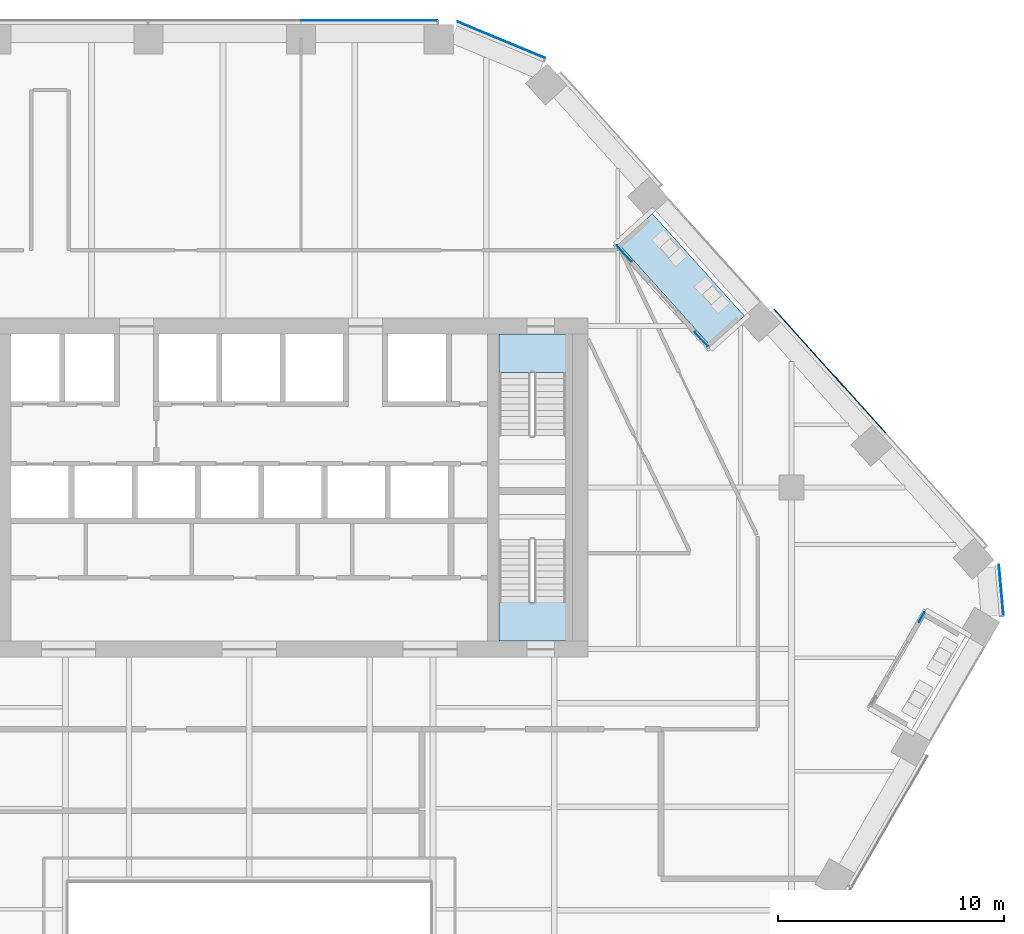
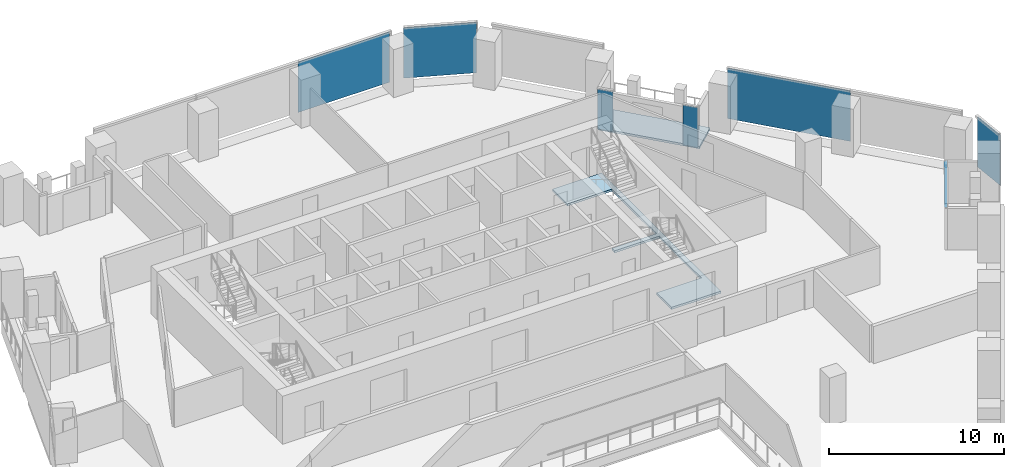
# One storey, part 18 of 26: 7 plates, 2 slabs, 6 elements without a shape of their own.
"""IFC4 building model written with IfcOpenShell, lengths in metres."""

from ifc_helpers import new_model, si_unit, direction, frame, origin, origin_2d, place, context, subcontext, project, spatial, polyline, rectangle, outline, extrude, material, layer, layer_set, type_object, element, aggregate, save


model = new_model("IFC4")

# Units and contexts
model_context = context("Model", 3, precision=1e-05, world=origin(), true_north=direction((0.0, 1.0)))
body_context = subcontext(model_context, "Body", "Model", "MODEL_VIEW")
ifc_project = project(units=[si_unit("LENGTHUNIT", "METRE"), si_unit("AREAUNIT", "SQUARE_METRE"), si_unit("VOLUMEUNIT", "CUBIC_METRE"), si_unit("PLANEANGLEUNIT", "RADIAN"), si_unit("MASSUNIT", "GRAM", prefix="KILO")], contexts=[model_context])

# Site, building, storey
site_placement = place(None, origin())
site = spatial("IfcSite", under=ifc_project, at=site_placement, CompositionType="ELEMENT")
building_placement = place(site_placement, origin())
building = spatial("IfcBuilding", under=site, at=building_placement, Name="Isthmus Gate Tower", CompositionType="ELEMENT")
storey_placement = place(building_placement, frame((0.0, 0.0, 203.64990234375)))
storey = spatial("IfcBuildingStorey", under=building, at=storey_placement, Name="L51", CompositionType="ELEMENT", Elevation=203.64990234375)

# Slab
ifc_material_1 = material(Name="Concrete f'c 40 MPa", Category="concrete")
ifc_layer_1 = layer(ifc_material_1, 0.14990234375)
ifc_layer_set_1 = layer_set([ifc_layer_1], Name="CORE FLOOR SLAB 150")
slab_type_1 = type_object("IfcSlabType", Name="CORE FLOOR SLAB 150", PredefinedType="FLOOR", material=ifc_layer_set_1)
slab_1_placement = place(storey_placement, frame((0.0, 0.0, -0.14990234375)))
element("IfcSlab", 1, at=slab_1_placement, inside=storey, type_object=slab_type_1, Name="L51 core floor", PredefinedType="FLOOR", context=body_context, shape_type="SweptSolid", body=[
    extrude(outline(polyline([(11.050048828125, 14.300048828125), (11.050048828125, 12.597900390625), (14.0, 12.597900390625), (14.0, 7.5), (11.050048828125, 7.5), (11.050048828125, 7.199951171875), (14.0, 7.199951171875), (14.0, 2.402099609375), (11.050048828125, 2.402099609375), (11.050048828125, 0.699951171875), (14.300048828125, 0.699951171875), (14.300048828125, 14.300048828125), (11.050048828125, 14.300048828125)])), origin(), (0.0, 0.0, 1.0), 0.14990234375),
])

# Curtain wall, plate
ifc_material_2 = material(Name="Aluminium, pale champagne anodised", Category="aluminium")
ifc_layer_2 = layer(ifc_material_2, 0.199951171875)
ifc_layer_set_2 = layer_set([ifc_layer_2], Name="CW-1 UNITISED CURTAIN WALL 200 DEEP")
curtain_wall_type_1 = type_object("IfcCurtainWallType", Name="CW-1 UNITISED CURTAIN WALL 200 DEEP", PredefinedType="NOTDEFINED", material=ifc_layer_set_2)
curtain_wall_1_placement = place(storey_placement, origin())
curtain_wall_1 = element("IfcCurtainWall", 2, at=curtain_wall_1_placement, inside=storey, type_object=curtain_wall_type_1, Name="CW-1 N L51", PredefinedType="NOTDEFINED")
ifc_material_3 = material(Name="Laminated low-iron glass, pale blue tint", Category="glass")
ifc_layer_3 = layer(ifc_material_3, 0.035888671875)
ifc_layer_set_3 = layer_set([ifc_layer_3], Name="CW-1 CLEAR GLASS LITE 36")
plate_type_1 = type_object("IfcPlateType", Name="CW-1 CLEAR GLASS LITE 36", PredefinedType="CURTAIN_PANEL", material=ifc_layer_set_3)
plate_1_placement = place(storey_placement, frame((5.30859375, 28.181884765625, 0.0), z_axis=(0.0, 0.0, 1.0), x_axis=(-1.0, 0.0, 0.0)))
plate_1 = element("IfcPlate", 3, at=plate_1_placement, type_object=plate_type_1, Name="CW-1 glass lite", PredefinedType="CURTAIN_PANEL", context=body_context, shape_type="SweptSolid", body=[
    extrude(rectangle(XDim=6.0400390625, YDim=0.035888671875, at=origin_2d()), origin(), (0.0, 0.0, 1.0), 3.510009765625),
])
aggregate(curtain_wall_1, [plate_1])

curtain_wall_2_placement = place(storey_placement, origin())
curtain_wall_2 = element("IfcCurtainWall", 4, at=curtain_wall_2_placement, inside=storey, type_object=curtain_wall_type_1, Name="CW-1 SE-NE L51", PredefinedType="NOTDEFINED")
plate_2_placement = place(storey_placement, frame((33.285888671875, 2.966552734375, 0.0), z_axis=(0.0, 0.0, 1.0), x_axis=(-0.089396669717, 0.995996102123, 0.0)))
plate_2 = element("IfcPlate", 5, at=plate_2_placement, type_object=plate_type_1, Name="CW-1 glass lite", PredefinedType="CURTAIN_PANEL", context=body_context, shape_type="SweptSolid", body=[
    extrude(rectangle(XDim=2.258544921875, YDim=0.035888671875, at=origin_2d()), origin(), (0.0, 0.0, 1.0), 3.510009765625),
])
aggregate(curtain_wall_2, [plate_2])

curtain_wall_3_placement = place(storey_placement, origin())
curtain_wall_3 = element("IfcCurtainWall", 6, at=curtain_wall_3_placement, inside=storey, type_object=curtain_wall_type_1, Name="CW-1 NE L51", PredefinedType="NOTDEFINED")
plate_3_placement = place(storey_placement, frame((25.70068359375, 12.659423828125, 0.0), z_axis=(0.0, 0.0, 1.0), x_axis=(-0.669130606359, 0.743144825477, 0.0)))
plate_3 = element("IfcPlate", 7, at=plate_3_placement, type_object=plate_type_1, Name="CW-1 glass lite", PredefinedType="CURTAIN_PANEL", context=body_context, shape_type="SweptSolid", body=[
    extrude(rectangle(XDim=7.390869140625, YDim=0.035888671875, at=origin_2d()), origin(), (0.0, 0.0, 1.0), 3.510009765625),
])
aggregate(curtain_wall_3, [plate_3])

curtain_wall_4_placement = place(storey_placement, origin())
curtain_wall_4 = element("IfcCurtainWall", 8, at=curtain_wall_4_placement, inside=storey, type_object=curtain_wall_type_1, Name="CW-1 NE-N L51", PredefinedType="NOTDEFINED")
plate_4_placement = place(storey_placement, frame((11.154052734375, 27.3173828125, 0.0), z_axis=(0.0, 0.0, 1.0), x_axis=(-0.923353128387, 0.383951820282, 0.0)))
plate_4 = element("IfcPlate", 9, at=plate_4_placement, type_object=plate_type_1, Name="CW-1 glass lite", PredefinedType="CURTAIN_PANEL", context=body_context, shape_type="SweptSolid", body=[
    extrude(rectangle(XDim=4.181396484375, YDim=0.035888671875, at=origin_2d()), origin(), (0.0, 0.0, 1.0), 3.510009765625),
])
aggregate(curtain_wall_4, [plate_4])

ifc_material_4 = material(Name="Aluminium, pale champagne anodised", Category="aluminium")
ifc_layer_4 = layer(ifc_material_4, 0.14990234375)
ifc_layer_set_4 = layer_set([ifc_layer_4], Name="CW-6 LOGGIA BACK WALL GLAZING 150 DEEP")
curtain_wall_type_2 = type_object("IfcCurtainWallType", Name="CW-6 LOGGIA BACK WALL GLAZING 150 DEEP", PredefinedType="NOTDEFINED", material=ifc_layer_set_4)
curtain_wall_5_placement = place(storey_placement, origin())
curtain_wall_5 = element("IfcCurtainWall", 10, at=curtain_wall_5_placement, inside=storey, type_object=curtain_wall_type_2, Name="CW-6 SE L51", PredefinedType="NOTDEFINED")
ifc_material_5 = material(Name="Laminated low-iron glass, clear", Category="glass")
ifc_layer_5 = layer(ifc_material_5, 0.031982421875)
ifc_layer_set_5 = layer_set([ifc_layer_5], Name="CW-6 CLEAR GLASS LITE 32")
plate_type_2 = type_object("IfcPlateType", Name="CW-6 CLEAR GLASS LITE 32", PredefinedType="CURTAIN_PANEL", material=ifc_layer_set_5)
plate_5_placement = place(storey_placement, frame((29.77001953125, 1.76318359375, 0.0), z_axis=(0.0, 0.0, 1.0), x_axis=(0.5, 0.866025403784, 0.0)))
plate_5 = element("IfcPlate", 11, at=plate_5_placement, type_object=plate_type_2, Name="CW-6 glass lite", PredefinedType="CURTAIN_PANEL", context=body_context, shape_type="SweptSolid", body=[
    extrude(rectangle(XDim=0.5, YDim=0.031982421875, at=origin_2d()), origin(), (0.0, 0.0, 1.0), 2.780029296875),
])
aggregate(curtain_wall_5, [plate_5])

# Curtain wall, plates
curtain_wall_6_placement = place(storey_placement, origin())
curtain_wall_6 = element("IfcCurtainWall", 12, at=curtain_wall_6_placement, inside=storey, type_object=curtain_wall_type_2, Name="CW-6 NE L51", PredefinedType="NOTDEFINED")
plate_6_placement = place(storey_placement, frame((20.017578125, 14.066162109375, 0.0), z_axis=(0.0, 0.0, 1.0), x_axis=(-0.669130606359, 0.743144825477, 0.0)))
plate_6 = element("IfcPlate", 13, at=plate_6_placement, type_object=plate_type_2, Name="CW-6 glass lite", PredefinedType="CURTAIN_PANEL", context=body_context, shape_type="SweptSolid", body=[
    extrude(rectangle(XDim=0.885498046875, YDim=0.031982421875, at=origin_2d()), origin(), (0.0, 0.0, 1.0), 2.780029296875),
])
plate_7_placement = place(storey_placement, frame((16.5947265625, 17.86767578125, 0.0), z_axis=(0.0, 0.0, 1.0), x_axis=(-0.669130606359, 0.743144825477, 0.0)))
plate_7 = element("IfcPlate", 14, at=plate_7_placement, type_object=plate_type_2, Name="CW-6 glass lite", PredefinedType="CURTAIN_PANEL", context=body_context, shape_type="SweptSolid", body=[
    extrude(rectangle(XDim=0.9453125, YDim=0.031982421875, at=origin_2d()), origin(), (0.0, 0.0, 1.0), 2.780029296875),
])
aggregate(curtain_wall_6, [plate_6, plate_7])

# Slab
ifc_material_6 = material(Name="Concrete f'c 50 MPa", Category="concrete")
ifc_layer_6 = layer(ifc_material_6, 0.14990234375)
ifc_layer_set_6 = layer_set([ifc_layer_6], Name="LOGGIA FLOOR SLAB 150")
slab_type_2 = type_object("IfcSlabType", Name="LOGGIA FLOOR SLAB 150", PredefinedType="FLOOR", material=ifc_layer_set_6)
slab_2_placement = place(storey_placement, frame((0.0, 0.0, -0.14990234375)))
element("IfcSlab", 15, at=slab_2_placement, inside=storey, type_object=slab_type_2, Name="LOGGIA FLOOR", PredefinedType="FLOOR", context=body_context, shape_type="SweptSolid", body=[
    extrude(outline(polyline([(21.91455078125, 15.097900390625), (17.839111328125, 19.624267578125), (16.352783203125, 18.285888671875), (20.42822265625, 13.759521484375), (21.91455078125, 15.097900390625)])), origin(), (0.0, 0.0, 1.0), 0.14990234375),
])

save(model, "model.ifc")
